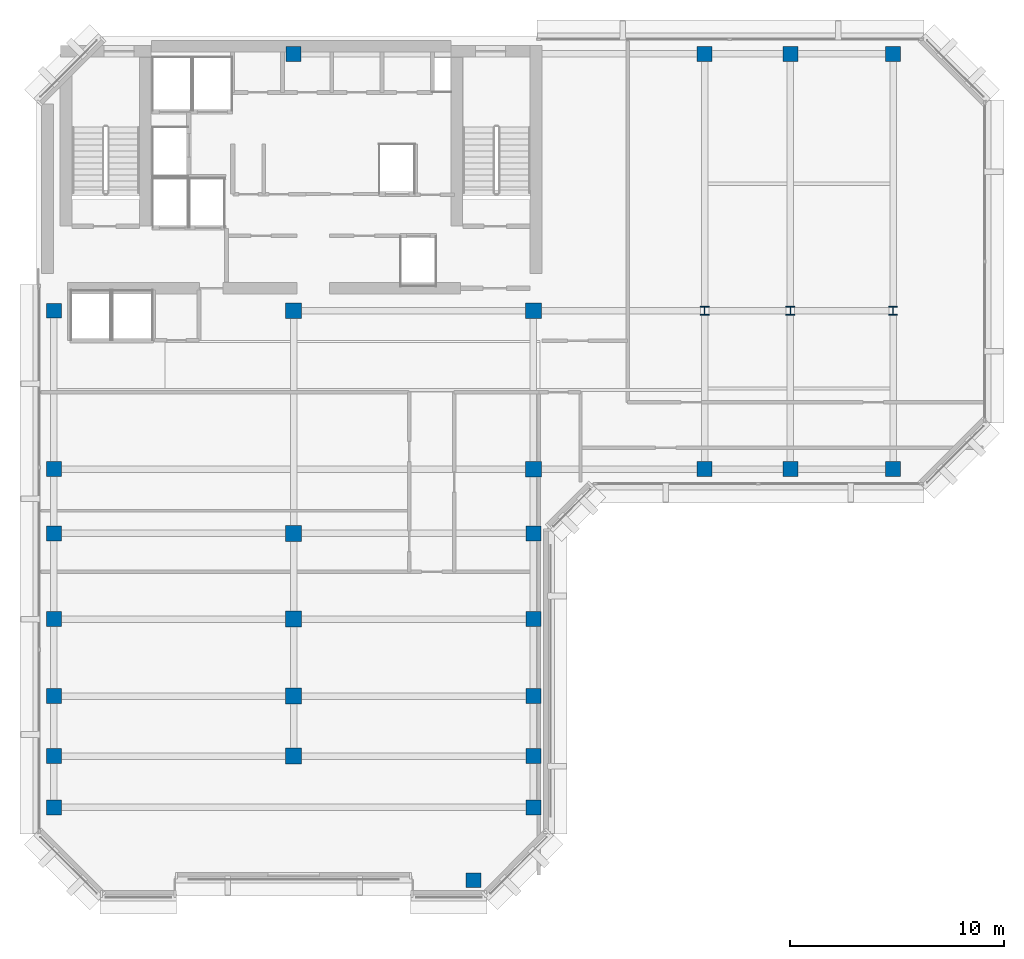
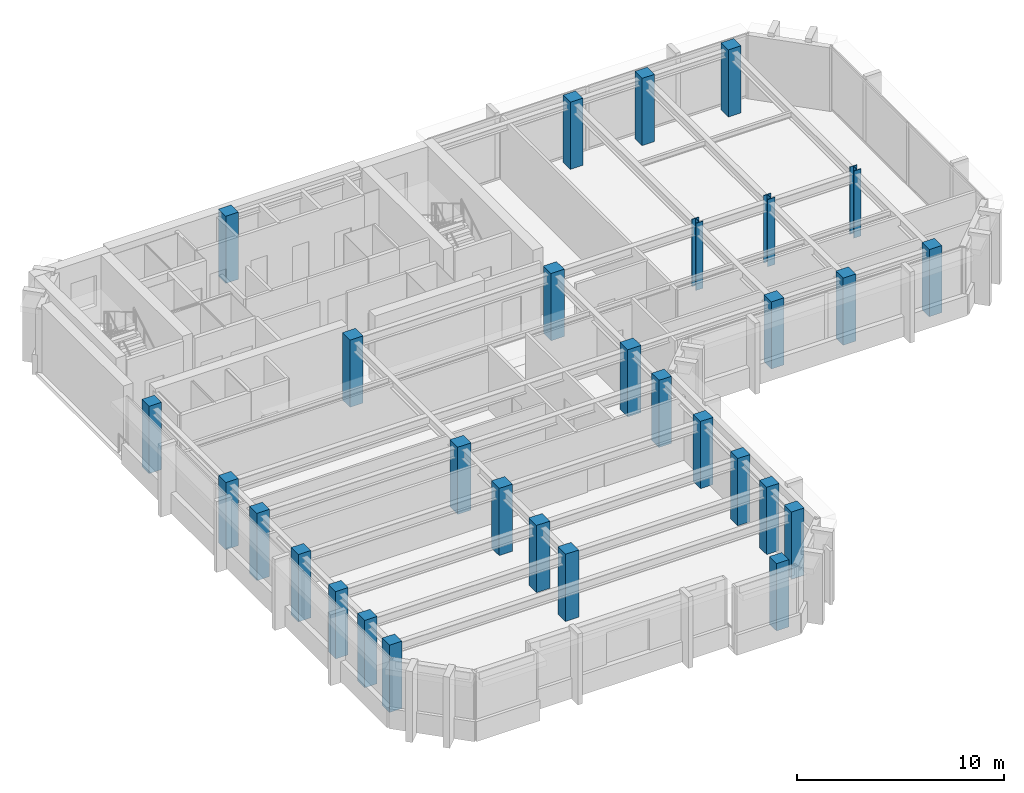
# One storey, part 1 of 12: 30 columns.
"""IFC4 building model written with IfcOpenShell, lengths in metres."""

import ifcopenshell
import ifcopenshell.guid

model = None  # the IFC model being written
_history = None  # IfcOwnerHistory: only IFC2X3 demands one
_inside = {}  # id of a spatial element -> (the spatial element, [elements in it])
_under = {}  # id of a project, library or spatial element -> (it, [spatial elements below it])
_declared = {}  # id of a project -> (the project, [libraries it declares])
_typed = {}  # id of a type object -> (the type object, [elements of that type])
_made_of = {}  # id of a material, layer set ... -> (it, [elements and type objects made of it])


def new_model(schema):
    """Start an empty IFC model of exactly this schema.

    Asked for "IFC4X3", IfcOpenShell would pick the latest addendum, in which some entities
    have other attributes; the version numbers below select the first issue.
    IFC2X3 requires an IfcOwnerHistory on every rooted entity: one is made here for all.
    """
    global model, _history
    if schema == "IFC4X3":
        model = ifcopenshell.file(schema_version=(4, 3, 0, 0))
    else:
        model = ifcopenshell.file(schema=schema)
    _inside.clear()
    _under.clear()
    _declared.clear()
    _typed.clear()
    _made_of.clear()
    _history = None
    if model.schema == "IFC2X3":
        org = make("IfcOrganization", Name="unknown")
        user = make(
            "IfcPersonAndOrganization",
            ThePerson=make("IfcPerson", FamilyName="unknown"),
            TheOrganization=org,
        )
        app = make(
            "IfcApplication",
            ApplicationDeveloper=org,
            Version="unknown",
            ApplicationFullName="unknown",
            ApplicationIdentifier="unknown",
        )
        _history = make(
            "IfcOwnerHistory",
            OwningUser=user,
            OwningApplication=app,
            ChangeAction="ADDED",
            CreationDate=0,
        )
    return model


def make(cls, **values):
    """One entity of the class cls with the attributes given. An attribute that is None is left unset."""
    return model.create_entity(
        cls, **{name: value for name, value in values.items() if value is not None}
    )


def rooted(cls, **values):
    """An entity with a GlobalId (a new one), such as an element, a storey or a relation."""
    return make(cls, GlobalId=ifcopenshell.guid.new(), OwnerHistory=_history, **values)


def si_unit(unit_type, name, prefix=None):
    """IfcSIUnit, for example si_unit("LENGTHUNIT", "METRE", prefix="MILLI")."""
    return make("IfcSIUnit", UnitType=unit_type, Prefix=prefix, Name=name)


def assignment(units):
    """IfcUnitAssignment: the units of a project."""
    return None if units is None else make("IfcUnitAssignment", Units=units)


def point(xyz):
    """IfcCartesianPoint."""
    return None if xyz is None else make("IfcCartesianPoint", Coordinates=xyz)


def direction(xyz):
    """IfcDirection."""
    return None if xyz is None else make("IfcDirection", DirectionRatios=xyz)


def frame(location, z_axis=None, x_axis=None):
    """IfcAxis2Placement3D, a coordinate frame: its origin and axes. An axis left out is left unset."""
    return make(
        "IfcAxis2Placement3D",
        Location=point(location),
        Axis=direction(z_axis),
        RefDirection=direction(x_axis),
    )


def frame_2d(location, x_axis=None):
    """IfcAxis2Placement2D, a coordinate frame in the plane: its origin and x axis."""
    return make(
        "IfcAxis2Placement2D", Location=point(location), RefDirection=direction(x_axis)
    )


def origin():
    """The frame at (0, 0, 0) with its axes left unset."""
    return frame((0.0, 0.0, 0.0))


def origin_2d():
    """The frame at (0, 0) in the plane with its x axis left unset."""
    return frame_2d((0.0, 0.0))


def place(relative_to, where):
    """IfcLocalPlacement: puts the frame where relative to a parent placement (None: the world)."""
    return make(
        "IfcLocalPlacement", PlacementRelTo=relative_to, RelativePlacement=where
    )


def context(
    kind, dimensions, precision=None, world=None, true_north=None, identifier=None
):
    """IfcGeometricRepresentationContext, for example the 3D "Model" context."""
    return make(
        "IfcGeometricRepresentationContext",
        ContextIdentifier=identifier,
        ContextType=kind,
        CoordinateSpaceDimension=dimensions,
        Precision=precision,
        WorldCoordinateSystem=world,
        TrueNorth=true_north,
    )


def subcontext(parent, identifier, kind, view, scale=None):
    """IfcGeometricRepresentationSubContext, for example "Body" below "Model"."""
    return make(
        "IfcGeometricRepresentationSubContext",
        ContextIdentifier=identifier,
        ContextType=kind,
        ParentContext=parent,
        TargetScale=scale,
        TargetView=view,
    )


def project(units=None, contexts=None):
    """IfcProject with its units and contexts."""
    return rooted(
        "IfcProject",
        Name="project",
        RepresentationContexts=contexts,
        UnitsInContext=assignment(units),
    )


def spatial(cls, under=None, at=None, **own):
    """A site, building, storey or space (cls), placed at a placement, below another one or the project."""
    s = rooted(cls, ObjectPlacement=at, **own)
    if under is not None:
        _under.setdefault(under.id(), (under, []))[1].append(s)
    return s


def profile(cls, at=None, kind="AREA", **sizes):
    """A parametric profile (cls). Its sizes go by their IFC names, for example OverallWidth=200.0."""
    return make(cls, ProfileType=kind, Position=at, **sizes)


def rectangle(**sizes):
    """IfcRectangleProfileDef."""
    return profile("IfcRectangleProfileDef", **sizes)


def i_section(**sizes):
    """IfcIShapeProfileDef."""
    return profile("IfcIShapeProfileDef", **sizes)


def extrude(swept, where, along, depth):
    """IfcExtrudedAreaSolid: the profile swept, set in the frame where, extruded along a direction by depth."""
    return make(
        "IfcExtrudedAreaSolid",
        SweptArea=swept,
        Position=where,
        ExtrudedDirection=direction(along),
        Depth=depth,
    )


def shape(context_of_items, identifier, shape_type, items):
    """IfcShapeRepresentation: the items that make up one representation, for example the "Body"."""
    return make(
        "IfcShapeRepresentation",
        ContextOfItems=context_of_items,
        RepresentationIdentifier=identifier,
        RepresentationType=shape_type,
        Items=items,
    )


def material(Name=None, Category=None):
    """IfcMaterial."""
    return make("IfcMaterial", Name=Name, Category=Category)


def material_profile(
    of_material, cross_section, Name=None, Category=None, Priority=None
):
    """IfcMaterialProfile: a cross section and its material."""
    return make(
        "IfcMaterialProfile",
        Name=Name,
        Material=of_material,
        Profile=cross_section,
        Priority=Priority,
        Category=Category,
    )


def profile_set(profiles, Name=None, composite=None):
    """IfcMaterialProfileSet."""
    return make(
        "IfcMaterialProfileSet",
        Name=Name,
        MaterialProfiles=profiles,
        CompositeProfile=composite,
    )


def made_of(thing, what):
    """Note that an element or type object is made of a material, layer set ...; save() writes the relation."""
    if what is not None:
        _made_of.setdefault(what.id(), (what, []))[1].append(thing)
    return thing


def type_object(cls, material=None, **own):
    """A type object (cls), such as IfcWallType, which elements share."""
    return made_of(rooted(cls, **own), material)


def element(
    cls,
    number,
    at=None,
    inside=None,
    cuts=None,
    type_object=None,
    material=None,
    context=None,
    identifier="Body",
    shape_type=None,
    held_by="IfcProductDefinitionShape",
    body=None,
    shapes=None,
    **own,
):
    """One element of the class cls, such as IfcWall. Its Tag is "e" and its number.

    at: its placement. inside: the storey or other place that contains it. cuts: it is an
    opening in that element (IfcRelVoidsElement). A single representation is given by context,
    identifier, shape_type and body (its items); several are given by shapes. held_by: the class
    of the entity that holds the representations. save() writes the other relations.
    """
    e = rooted(cls, Tag="e%d" % number, ObjectPlacement=at, **own)
    if body is not None:
        shapes = [shape(context, identifier, shape_type, body)]
    if shapes is not None:
        e.Representation = make(held_by, Representations=shapes)
    if inside is not None:
        _inside.setdefault(inside.id(), (inside, []))[1].append(e)
    if cuts is not None:
        rooted(
            "IfcRelVoidsElement", RelatingBuildingElement=cuts, RelatedOpeningElement=e
        )
    if type_object is not None:
        _typed.setdefault(type_object.id(), (type_object, []))[1].append(e)
    return made_of(e, material)


def aggregate(whole, parts):
    """IfcRelAggregates: a whole, such as a stair, and the parts it consists of."""
    return rooted("IfcRelAggregates", RelatingObject=whole, RelatedObjects=parts)


def save(model, path):
    """Write the relations noted so far, then the file.

    IfcRelAggregates (storeys below a building ...), IfcRelContainedInSpatialStructure (elements
    in a storey), IfcRelDefinesByType, IfcRelAssociatesMaterial and IfcRelDeclares: one each for
    every whole, place, type object, material and project.
    """
    for whole, parts in _under.values():
        aggregate(whole, parts)
    for where, things in _inside.values():
        rooted(
            "IfcRelContainedInSpatialStructure",
            RelatedElements=things,
            RelatingStructure=where,
        )
    for kind, things in _typed.values():
        rooted("IfcRelDefinesByType", RelatedObjects=things, RelatingType=kind)
    for what, things in _made_of.values():
        rooted("IfcRelAssociatesMaterial", RelatedObjects=things, RelatingMaterial=what)
    for by, libraries in _declared.values():
        rooted("IfcRelDeclares", RelatingContext=by, RelatedDefinitions=libraries)
    model.write(path)


model = new_model("IFC4")

# Units and contexts
model_context = context("Model", 3, precision=1e-05, world=origin(), true_north=direction((0.0, 1.0)))
body_context = subcontext(model_context, "Body", "Model", "MODEL_VIEW")
ifc_project = project(units=[si_unit("LENGTHUNIT", "METRE"), si_unit("AREAUNIT", "SQUARE_METRE"), si_unit("VOLUMEUNIT", "CUBIC_METRE"), si_unit("PLANEANGLEUNIT", "RADIAN"), si_unit("MASSUNIT", "GRAM", prefix="KILO")], contexts=[model_context])

# Site, building, storey
site_placement = place(None, origin())
site = spatial("IfcSite", under=ifc_project, at=site_placement, CompositionType="ELEMENT")
building_placement = place(site_placement, origin())
building = spatial("IfcBuilding", under=site, at=building_placement, Name="Kefirva Bronze Tower", CompositionType="ELEMENT")
storey_placement = place(building_placement, frame((0.0, 0.0, 327.68994140625)))
storey = spatial("IfcBuildingStorey", under=building, at=storey_placement, Name="L80", CompositionType="ELEMENT", Elevation=327.68994140625)

# Columns
ifc_material_1 = material(Name="Concrete C50/60", Category="concrete")
ifc_material_profile_1 = material_profile(ifc_material_1, rectangle(XDim=0.699951171875, YDim=0.699951171875, at=origin_2d()), Name="RC 700x700")
ifc_profile_set_1 = profile_set([ifc_material_profile_1], Name="Concrete C50/60")
column_type_1 = type_object("IfcColumnType", Name="RC Column 700x700 Ext", PredefinedType="COLUMN", material=ifc_profile_set_1)
for number, where, z_axis, x_axis, name in (
    (1, (0.800048828125, 10.0, 0.0), (0.0, 0.0, 1.0), (1.0, 0.0, 0.0), "L80 Column C008_100"),
    (2, (0.800048828125, 12.39990234375, 0.0), (0.0, 0.0, 1.0), (1.0, 0.0, 0.0), "L80 Column C008_124"),
    (3, (0.800048828125, 15.199951171875, 0.0), (0.0, 0.0, 1.0), (1.0, 0.0, 0.0), "L80 Column C008_152"),
    (4, (0.800048828125, 18.800048828125, 0.0), (0.0, 0.0, 1.0), (1.0, 0.0, 0.0), "L80 Column C008_188"),
    (5, (0.800048828125, 22.800048828125, 0.0), (0.0, 0.0, 1.0), (1.0, 0.0, 0.0), "L80 Column C008_228"),
    (6, (0.800048828125, 25.800048828125, 0.0), (0.0, 0.0, 1.0), (1.0, 0.0, 0.0), "L80 Column C008_258"),
    (7, (0.800048828125, 33.199951171875, 0.0), (0.0, 0.0, 1.0), (1.0, 0.0, 0.0), "L80 Column C008_332"),
    (8, (12.0, 45.199951171875, 0.0), (0.0, 0.0, 1.0), (1.0, 0.0, 0.0), "L80 Column C120_452"),
    (9, (20.39990234375, 6.60009765625, 0.0), (0.0, 0.0, 1.0), (1.0, 0.0, 0.0), "L80 Column C204_066"),
    (10, (23.199951171875, 10.0, 0.0), (0.0, 0.0, 1.0), (1.0, 0.0, 0.0), "L80 Column C232_100"),
    (11, (23.199951171875, 12.39990234375, 0.0), (0.0, 0.0, 1.0), (1.0, 0.0, 0.0), "L80 Column C232_124"),
    (12, (23.199951171875, 15.199951171875, 0.0), (0.0, 0.0, 1.0), (1.0, 0.0, 0.0), "L80 Column C232_152"),
    (13, (23.199951171875, 18.800048828125, 0.0), (0.0, 0.0, 1.0), (1.0, 0.0, 0.0), "L80 Column C232_188"),
    (14, (23.199951171875, 22.800048828125, 0.0), (0.0, 0.0, 1.0), (1.0, 0.0, 0.0), "L80 Column C232_228"),
    (15, (31.199951171875, 25.800048828125, 0.0), (0.0, 0.0, 1.0), (1.0, 0.0, 0.0), "L80 Column C312_258"),
    (16, (31.199951171875, 45.199951171875, 0.0), (0.0, 0.0, 1.0), (1.0, 0.0, 0.0), "L80 Column C312_452"),
    (17, (35.199951171875, 25.800048828125, 0.0), (0.0, 0.0, 1.0), (1.0, 0.0, 0.0), "L80 Column C352_258"),
    (18, (35.199951171875, 45.199951171875, 0.0), (0.0, 0.0, 1.0), (1.0, 0.0, 0.0), "L80 Column C352_452"),
    (19, (40.0, 25.800048828125, 0.0), (0.0, 0.0, 1.0), (1.0, 0.0, 0.0), "L80 Column C400_258"),
    (20, (40.0, 45.199951171875, 0.0), (0.0, 0.0, 1.0), (1.0, 0.0, 0.0), "L80 Column C400_452"),
):
    element("IfcColumn", number, at=place(storey_placement, frame(where, z_axis=z_axis, x_axis=x_axis)), inside=storey, type_object=column_type_1, Name=name, PredefinedType="COLUMN", context=body_context, shape_type="SweptSolid", body=[
        extrude(rectangle(XDim=0.699951171875, YDim=0.699951171875, at=origin_2d()), origin(), (0.0, 0.0, 1.0), 3.9599609375),
    ])
ifc_material_profile_2 = material_profile(ifc_material_1, rectangle(XDim=0.739990234375, YDim=0.739990234375, at=origin_2d()), Name="RC 740x740")
ifc_profile_set_2 = profile_set([ifc_material_profile_2], Name="Concrete C50/60")
column_type_2 = type_object("IfcColumnType", Name="RC Column 740x740 Int", PredefinedType="COLUMN", material=ifc_profile_set_2)
for number, where, z_axis, x_axis, name in (
    (21, (12.0, 12.39990234375, 0.0), (0.0, 0.0, 1.0), (1.0, 0.0, 0.0), "L80 Column C120_124"),
    (22, (12.0, 15.199951171875, 0.0), (0.0, 0.0, 1.0), (1.0, 0.0, 0.0), "L80 Column C120_152"),
    (23, (12.0, 18.800048828125, 0.0), (0.0, 0.0, 1.0), (1.0, 0.0, 0.0), "L80 Column C120_188"),
    (24, (12.0, 22.800048828125, 0.0), (0.0, 0.0, 1.0), (1.0, 0.0, 0.0), "L80 Column C120_228"),
    (25, (12.0, 33.199951171875, 0.0), (0.0, 0.0, 1.0), (1.0, 0.0, 0.0), "L80 Column C120_332"),
    (26, (23.199951171875, 25.800048828125, 0.0), (0.0, 0.0, 1.0), (1.0, 0.0, 0.0), "L80 Column C232_258"),
    (27, (23.199951171875, 33.199951171875, 0.0), (0.0, 0.0, 1.0), (1.0, 0.0, 0.0), "L80 Column C232_332"),
):
    element("IfcColumn", number, at=place(storey_placement, frame(where, z_axis=z_axis, x_axis=x_axis)), inside=storey, type_object=column_type_2, Name=name, PredefinedType="COLUMN", context=body_context, shape_type="SweptSolid", body=[
        extrude(rectangle(XDim=0.739990234375, YDim=0.739990234375, at=origin_2d()), origin(), (0.0, 0.0, 1.0), 3.9599609375),
    ])
ifc_material_2 = material(Name="Steel S460", Category="steel")
ifc_material_profile_3 = material_profile(ifc_material_2, i_section(OverallWidth=0.406005859375, OverallDepth=0.416015625, WebThickness=0.02197265625, FlangeThickness=0.035888671875, at=origin_2d()), Name="HD 400x382")
ifc_profile_set_3 = profile_set([ifc_material_profile_3], Name="Steel S460")
column_type_3 = type_object("IfcColumnType", Name="Steel Column HD 400x382", PredefinedType="COLUMN", material=ifc_profile_set_3)
for number, where, z_axis, x_axis, name in (
    (28, (31.199951171875, 33.199951171875, 0.0), (0.0, 0.0, 1.0), (1.0, 0.0, 0.0), "L80 Column C312_332"),
    (29, (35.199951171875, 33.199951171875, 0.0), (0.0, 0.0, 1.0), (1.0, 0.0, 0.0), "L80 Column C352_332"),
    (30, (40.0, 33.199951171875, 0.0), (0.0, 0.0, 1.0), (1.0, 0.0, 0.0), "L80 Column C400_332"),
):
    element("IfcColumn", number, at=place(storey_placement, frame(where, z_axis=z_axis, x_axis=x_axis)), inside=storey, type_object=column_type_3, Name=name, PredefinedType="COLUMN", context=body_context, shape_type="SweptSolid", body=[
        extrude(i_section(OverallWidth=0.406005859375, OverallDepth=0.416015625, WebThickness=0.02197265625, FlangeThickness=0.035888671875, at=origin_2d()), origin(), (0.0, 0.0, 1.0), 3.9599609375),
    ])

save(model, "model.ifc")
